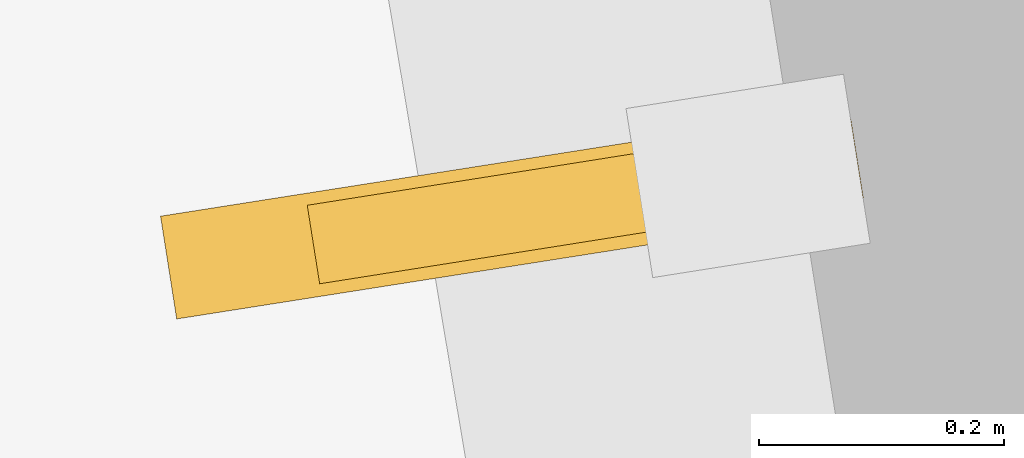
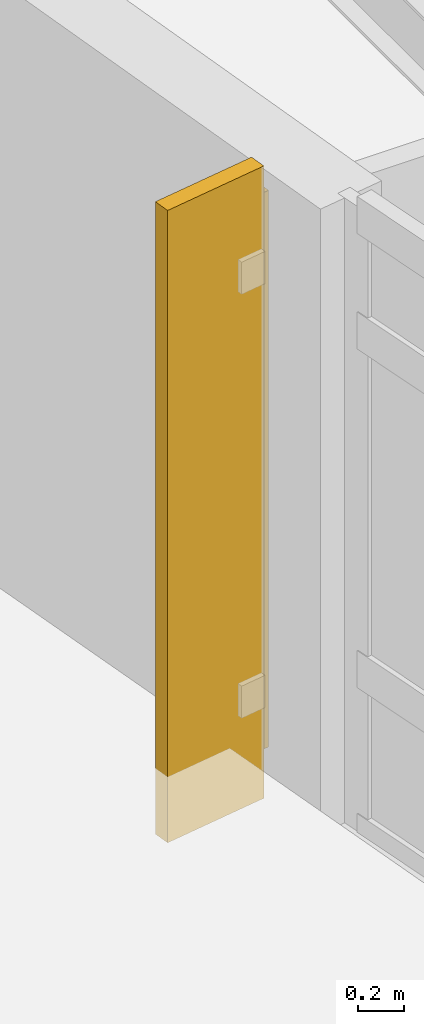
# One storey, part 26 of 30: 1 covering, 1 shading device.
"""IFC4 building model written with IfcOpenShell, lengths in metres."""

from ifc_helpers import new_model, si_unit, direction, frame, origin, origin_2d, place, context, subcontext, project, spatial, polyline, rectangle, outline, extrude, material, layer, layer_set, type_object, element, save


model = new_model("IFC4")

# Units and contexts
model_context = context("Model", 3, precision=1e-05, world=origin(), true_north=direction((0.0, 1.0)))
body_context = subcontext(model_context, "Body", "Model", "MODEL_VIEW")
ifc_project = project(units=[si_unit("LENGTHUNIT", "METRE"), si_unit("AREAUNIT", "SQUARE_METRE"), si_unit("VOLUMEUNIT", "CUBIC_METRE"), si_unit("PLANEANGLEUNIT", "RADIAN"), si_unit("MASSUNIT", "GRAM", prefix="KILO")], contexts=[model_context])

# Site, building, storey
site_placement = place(None, origin())
site = spatial("IfcSite", under=ifc_project, at=site_placement, CompositionType="ELEMENT")
building_placement = place(site_placement, origin())
building = spatial("IfcBuilding", under=site, at=building_placement, Name="Corveleigh Park Community Centre", CompositionType="ELEMENT")
storey_placement = place(building_placement, frame((0.0, 0.0, 12.60009765625)))
storey = spatial("IfcBuildingStorey", under=building, at=storey_placement, Name="L03", CompositionType="ELEMENT", Elevation=12.60009765625)

# Covering
ifc_material_1 = material(Name="Warm buff ribbed architectural cladding", Category="masonry")
ifc_layer = layer(ifc_material_1, 0.0849609375, Name="Warm buff ribbed architectural cladding", Category="masonry")
ifc_layer_set = layer_set([ifc_layer], Name="Warm buff ribbed architectural cladding")
covering_type = type_object("IfcCoveringType", Name="COV-CLD-BUF", PredefinedType="CLADDING", material=ifc_layer_set)
covering_placement = place(storey_placement, origin())
element("IfcCovering", 1, at=covering_placement, inside=storey, type_object=covering_type, Name="V4 L03 Brise-soleil blade 477", PredefinedType="CLADDING", context=body_context, shape_type="SweptSolid", body=[
    extrude(outline(polyline([(142.951904296875, 67.89111328125), (142.93896484375, 67.97509765625), (142.410888671875, 67.89208984375), (142.424072265625, 67.80810546875), (142.951904296875, 67.89111328125)])), origin(), (0.0, 0.0, 1.0), 3.3369140625),
])

# Shading device
ifc_material_2 = material(Name="Terracotta-anodised aluminium fin", Category="masonry")
shading_device_type = type_object("IfcShadingDeviceType", Name="SHD-FIN-TER-450", PredefinedType="USERDEFINED", material=ifc_material_2)
shading_device_placement = place(storey_placement, frame((142.758056640625, 67.904052734375, 0.25), z_axis=(0.0, 0.0, 1.0), x_axis=(-0.987742036845, -0.156095062857, 0.0)))
element("IfcShadingDevice", 2, at=shading_device_placement, inside=storey, type_object=shading_device_type, Name="Terracotta brise-soleil fin 104", ObjectType="FIN", PredefinedType="USERDEFINED", context=body_context, shape_type="SweptSolid", body=[
    extrude(rectangle(XDim=0.449951171875, YDim=0.06494140625, at=origin_2d()), origin(), (0.0, 0.0, 1.0), 2.93701171875),
])

save(model, "model.ifc")
